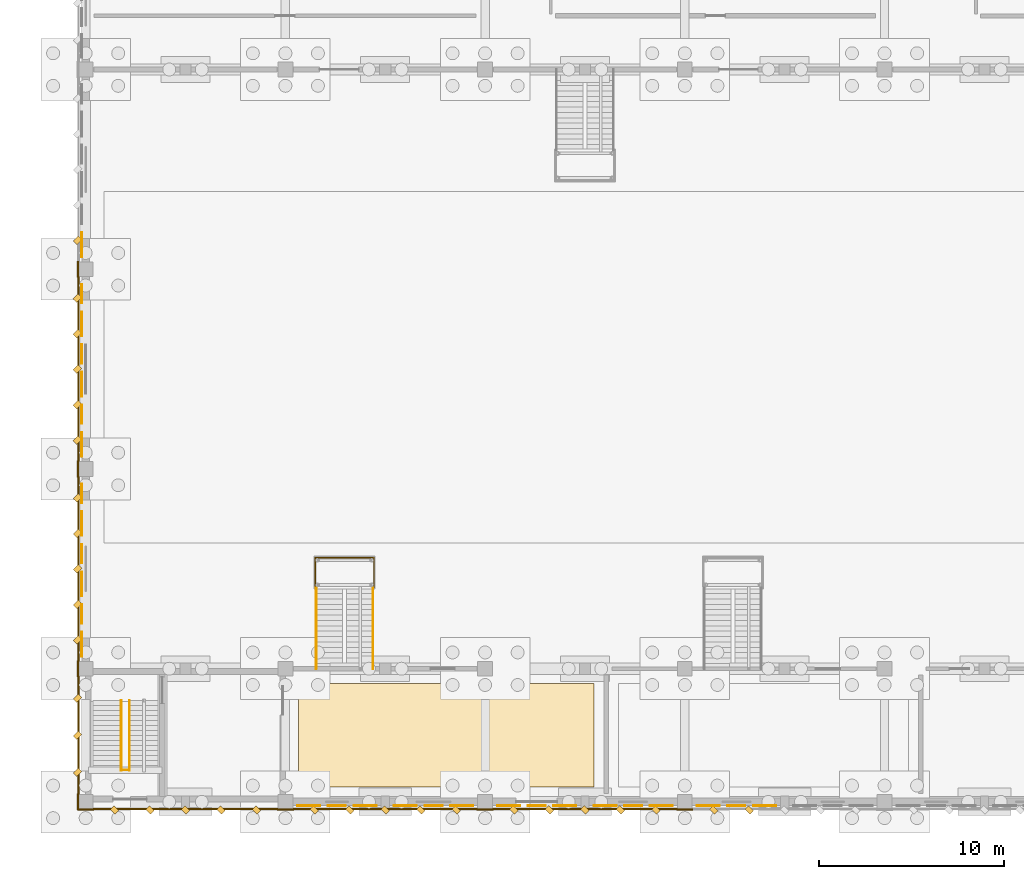
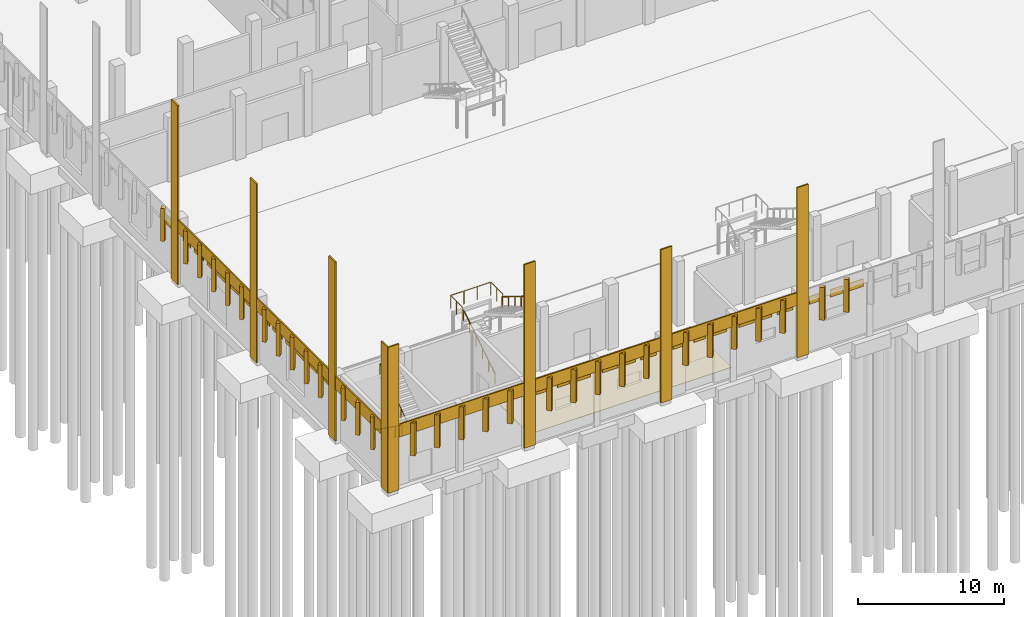
# One storey, part 94 of 109: 74 coverings, 6 railings.
"""IFC4 building model written with IfcOpenShell, lengths in metres."""

from ifc_helpers import new_model, si_unit, direction, frame, origin, origin_2d, place, context, subcontext, project, spatial, polyline, rectangle, circle, outline, extrude, material, layer, layer_set, type_object, element, save


model = new_model("IFC4")

# Units and contexts
model_context = context("Model", 3, precision=1e-05, world=origin(), true_north=direction((0.0, 1.0)))
body_context = subcontext(model_context, "Body", "Model", "MODEL_VIEW")
ifc_project = project(units=[si_unit("LENGTHUNIT", "METRE"), si_unit("AREAUNIT", "SQUARE_METRE"), si_unit("VOLUMEUNIT", "CUBIC_METRE"), si_unit("PLANEANGLEUNIT", "RADIAN"), si_unit("MASSUNIT", "GRAM", prefix="KILO")], contexts=[model_context])

# Site, building, storey
site_placement = place(None, origin())
site = spatial("IfcSite", under=ifc_project, at=site_placement, CompositionType="ELEMENT")
building_placement = place(site_placement, origin())
building = spatial("IfcBuilding", under=site, at=building_placement, Name="Lusvemor Sports Hall", CompositionType="ELEMENT")
storey_placement = place(building_placement, origin())
storey = spatial("IfcBuildingStorey", under=building, at=storey_placement, Name="L00", CompositionType="ELEMENT", Elevation=0.0)

# Coverings
ifc_material_1 = material(Name="Precast granite-faced Concrete C40/50 architectural cladding", Category="masonry")
ifc_layer_1 = layer(ifc_material_1, 0.055908203125)
ifc_layer_set_1 = layer_set([ifc_layer_1], Name="Precast granite-faced Concrete C40/50 architectural cladding")
covering_type_1 = type_object("IfcCoveringType", Name="CLAD_RELIEF_FRIEZE", PredefinedType="CLADDING", material=ifc_layer_set_1)
covering_1_placement = place(storey_placement, frame((0.0, -0.409912109375, 0.0), z_axis=(0.0, 0.0, 1.0), x_axis=(1.0, 0.0, 0.0)))
element("IfcCovering", 1, at=covering_1_placement, inside=storey, type_object=covering_type_1, Name="Art Nouveau Pilaster Cladding Casing 1", PredefinedType="CLADDING", context=body_context, shape_type="SweptSolid", body=[
    extrude(rectangle(XDim=0.8798828125, YDim=0.10009765625, at=origin_2d()), origin(), (0.0, 0.0, 1.0), 12.219970703125),
])
covering_2_placement = place(storey_placement, frame((10.800048828125, -0.409912109375, 0.0), z_axis=(0.0, 0.0, 1.0), x_axis=(1.0, 0.0, 0.0)))
element("IfcCovering", 2, at=covering_2_placement, inside=storey, type_object=covering_type_1, Name="Art Nouveau Pilaster Cladding Casing 2", PredefinedType="CLADDING", context=body_context, shape_type="SweptSolid", body=[
    extrude(rectangle(XDim=0.8798828125, YDim=0.10009765625, at=origin_2d()), origin(), (0.0, 0.0, 1.0), 15.37548828125),
])
covering_3_placement = place(storey_placement, frame((21.60009765625, -0.409912109375, 0.0), z_axis=(0.0, 0.0, 1.0), x_axis=(1.0, 0.0, 0.0)))
element("IfcCovering", 3, at=covering_3_placement, inside=storey, type_object=covering_type_1, Name="Art Nouveau Pilaster Cladding Casing 3", PredefinedType="CLADDING", context=body_context, shape_type="SweptSolid", body=[
    extrude(rectangle(XDim=0.8798828125, YDim=0.10009765625, at=origin_2d()), origin(), (0.0, 0.0, 1.0), 12.844970703125),
])
covering_4_placement = place(storey_placement, frame((32.39990234375, -0.409912109375, 0.0), z_axis=(0.0, 0.0, 1.0), x_axis=(1.0, 0.0, 0.0)))
element("IfcCovering", 4, at=covering_4_placement, inside=storey, type_object=covering_type_1, Name="Art Nouveau Pilaster Cladding Casing 4", PredefinedType="CLADDING", context=body_context, shape_type="SweptSolid", body=[
    extrude(rectangle(XDim=0.8798828125, YDim=0.10009765625, at=origin_2d()), origin(), (0.0, 0.0, 1.0), 14.24951171875),
])
covering_5_placement = place(storey_placement, frame((-0.409912109375, 0.0, 0.0), z_axis=(0.0, 0.0, 1.0), x_axis=(1.0, 0.0, 0.0)))
element("IfcCovering", 5, at=covering_5_placement, inside=storey, type_object=covering_type_1, Name="Art Nouveau Pilaster Cladding Casing 895", PredefinedType="CLADDING", context=body_context, shape_type="SweptSolid", body=[
    extrude(rectangle(XDim=0.10009765625, YDim=0.8798828125, at=origin_2d()), origin(), (0.0, 0.0, 1.0), 12.219970703125),
])
for number, where, z_axis, x_axis, name in (
    (6, (-0.409912109375, 7.199951171875, 0.0), (0.0, 0.0, 1.0), (1.0, 0.0, 0.0), "Art Nouveau Pilaster Cladding Casing 896"),
    (7, (-0.409912109375, 18.0, 0.0), (0.0, 0.0, 1.0), (1.0, 0.0, 0.0), "Art Nouveau Pilaster Cladding Casing 897"),
    (8, (-0.409912109375, 28.800048828125, 0.0), (0.0, 0.0, 1.0), (1.0, 0.0, 0.0), "Art Nouveau Pilaster Cladding Casing 898"),
):
    element("IfcCovering", number, at=place(storey_placement, frame(where, z_axis=z_axis, x_axis=x_axis)), inside=storey, type_object=covering_type_1, Name=name, PredefinedType="CLADDING", context=body_context, shape_type="SweptSolid", body=[
        extrude(rectangle(XDim=0.10009765625, YDim=0.8798828125, at=origin_2d()), origin(), (0.0, 0.0, 1.0), 15.0),
    ])
ifc_material_2 = material(Name="Emerald polychrome glazed ceramic cladding on Concrete C40/50 backing", Category="concrete")
ifc_layer_2 = layer(ifc_material_2, 0.0458984375)
ifc_layer_set_2 = layer_set([ifc_layer_2], Name="Emerald polychrome glazed ceramic cladding on Concrete C40/50 backing")
covering_type_2 = type_object("IfcCoveringType", Name="CLAD_WAVE_EMERALD", PredefinedType="CLADDING", material=ifc_layer_set_2)
for number, where, z_axis, x_axis, name in (
    (9, (12.070068359375, -0.218017578125, 3.97998046875), (0.0, 0.0, 1.0), (1.0, 0.0, 0.0), "Art Nouveau Patterned Cladding PS-V1S0-1-1-1"),
    (10, (15.110107421875, -0.218017578125, 3.97998046875), (0.0, 0.0, 1.0), (1.0, 0.0, 0.0), "Art Nouveau Patterned Cladding PS-V1S0-1-1-3"),
    (11, (17.2900390625, -0.218017578125, 3.97998046875), (0.0, 0.0, 1.0), (1.0, 0.0, 0.0), "Art Nouveau Patterned Cladding PS-V1S0-1-2-1"),
    (12, (20.330078125, -0.218017578125, 3.97998046875), (0.0, 0.0, 1.0), (1.0, 0.0, 0.0), "Art Nouveau Patterned Cladding PS-V1S0-1-2-3"),
    (13, (22.8701171875, -0.218017578125, 3.97998046875), (0.0, 0.0, 1.0), (1.0, 0.0, 0.0), "Art Nouveau Patterned Cladding PS-V1S0-2-1-1"),
    (14, (25.909912109375, -0.218017578125, 3.97998046875), (0.0, 0.0, 1.0), (1.0, 0.0, 0.0), "Art Nouveau Patterned Cladding PS-V1S0-2-1-3"),
    (15, (28.090087890625, -0.218017578125, 3.97998046875), (0.0, 0.0, 1.0), (1.0, 0.0, 0.0), "Art Nouveau Patterned Cladding PS-V1S0-2-2-1"),
    (16, (31.1298828125, -0.218017578125, 3.97998046875), (0.0, 0.0, 1.0), (1.0, 0.0, 0.0), "Art Nouveau Patterned Cladding PS-V1S0-2-2-3"),
    (17, (33.669921875, -0.218017578125, 3.97998046875), (0.0, 0.0, 1.0), (1.0, 0.0, 0.0), "Art Nouveau Patterned Cladding PS-V1S0-3-1-1"),
    (18, (36.7099609375, -0.218017578125, 3.97998046875), (0.0, 0.0, 1.0), (1.0, 0.0, 0.0), "Art Nouveau Patterned Cladding PS-V1S0-3-1-3"),
):
    element("IfcCovering", number, at=place(storey_placement, frame(where, z_axis=z_axis, x_axis=x_axis)), inside=storey, type_object=covering_type_2, Name=name, PredefinedType="CLADDING", context=body_context, shape_type="SweptSolid", body=[
        extrude(rectangle(XDim=1.246337890625, YDim=0.0458984375, at=origin_2d()), origin(), (0.0, 0.0, 1.0), 0.64990234375),
    ])
for number, where, z_axis, x_axis, name in (
    (19, (-0.218017578125, 8.52490234375, 3.830078125), (0.0, 0.0, 1.0), (1.0, 0.0, 0.0), "Art Nouveau Patterned Cladding PS-V1W0-2-1"),
    (20, (-0.218017578125, 11.784912109375, 3.830078125), (0.0, 0.0, 1.0), (1.0, 0.0, 0.0), "Art Nouveau Patterned Cladding PS-V1W0-2-3"),
    (21, (-0.218017578125, 15.044921875, 3.830078125), (0.0, 0.0, 1.0), (1.0, 0.0, 0.0), "Art Nouveau Patterned Cladding PS-V1W0-2-5"),
    (22, (-0.218017578125, 19.324951171875, 3.830078125), (0.0, 0.0, 1.0), (1.0, 0.0, 0.0), "Art Nouveau Patterned Cladding PS-V1W0-3-1"),
    (23, (-0.218017578125, 22.5849609375, 3.830078125), (0.0, 0.0, 1.0), (1.0, 0.0, 0.0), "Art Nouveau Patterned Cladding PS-V1W0-3-3"),
    (24, (-0.218017578125, 25.844970703125, 3.830078125), (0.0, 0.0, 1.0), (1.0, 0.0, 0.0), "Art Nouveau Patterned Cladding PS-V1W0-3-5"),
    (25, (-0.218017578125, 30.125, 3.830078125), (0.0, 0.0, 1.0), (1.0, 0.0, 0.0), "Art Nouveau Patterned Cladding PS-V1W0-4-1"),
):
    element("IfcCovering", number, at=place(storey_placement, frame(where, z_axis=z_axis, x_axis=x_axis)), inside=storey, type_object=covering_type_2, Name=name, PredefinedType="CLADDING", context=body_context, shape_type="SweptSolid", body=[
        extrude(rectangle(XDim=0.0458984375, YDim=1.336669921875, at=origin_2d()), origin(), (0.0, 0.0, 1.0), 0.840087890625),
    ])
for number, where, z_axis, x_axis, name in (
    (26, (3.47998046875, -0.43994140625, 2.550048828125), (0.0, 0.0, 1.0), (0.707106781187, 0.707106781187, 0.0), "Patterned Diamond Cladding Rib 11"),
    (27, (7.320068359375, -0.43994140625, 2.550048828125), (0.0, 0.0, 1.0), (0.707106781187, 0.707106781187, 0.0), "Patterned Diamond Cladding Rib 13"),
    (28, (14.280029296875, -0.43994140625, 2.550048828125), (0.0, 0.0, 1.0), (0.707106781187, 0.707106781187, 0.0), "Patterned Diamond Cladding Rib 29"),
    (29, (18.1201171875, -0.43994140625, 2.550048828125), (0.0, 0.0, 1.0), (0.707106781187, 0.707106781187, 0.0), "Patterned Diamond Cladding Rib 31"),
    (30, (25.080078125, -0.43994140625, 2.550048828125), (0.0, 0.0, 1.0), (0.707106781187, 0.707106781187, 0.0), "Patterned Diamond Cladding Rib 47"),
    (31, (28.919921875, -0.43994140625, 2.550048828125), (0.0, 0.0, 1.0), (0.707106781187, 0.707106781187, 0.0), "Patterned Diamond Cladding Rib 49"),
    (32, (35.8798828125, -0.43994140625, 2.550048828125), (0.0, 0.0, 1.0), (0.707106781187, 0.707106781187, 0.0), "Patterned Diamond Cladding Rib 65"),
):
    element("IfcCovering", number, at=place(storey_placement, frame(where, z_axis=z_axis, x_axis=x_axis)), inside=storey, type_object=covering_type_2, Name=name, PredefinedType="CLADDING", context=body_context, shape_type="SweptSolid", body=[
        extrude(rectangle(XDim=0.280029296875, YDim=0.3798828125, at=origin_2d()), origin(), (0.0, 0.0, 1.0), 2.75),
    ])
for number, where, z_axis, x_axis, name in (
    (33, (-0.43994140625, 3.60009765625, 2.550048828125), (0.0, 0.0, 1.0), (0.707106781187, 0.707106781187, 0.0), "Patterned Diamond Cladding Rib 903"),
    (34, (-0.43994140625, 10.679931640625, 2.550048828125), (0.0, 0.0, 1.0), (0.707106781187, 0.707106781187, 0.0), "Patterned Diamond Cladding Rib 915"),
    (35, (-0.43994140625, 14.52001953125, 2.550048828125), (0.0, 0.0, 1.0), (0.707106781187, 0.707106781187, 0.0), "Patterned Diamond Cladding Rib 917"),
    (36, (-0.43994140625, 21.47998046875, 2.550048828125), (0.0, 0.0, 1.0), (0.707106781187, 0.707106781187, 0.0), "Patterned Diamond Cladding Rib 933"),
    (37, (-0.43994140625, 25.320068359375, 2.550048828125), (0.0, 0.0, 1.0), (0.707106781187, 0.707106781187, 0.0), "Patterned Diamond Cladding Rib 935"),
):
    element("IfcCovering", number, at=place(storey_placement, frame(where, z_axis=z_axis, x_axis=x_axis)), inside=storey, type_object=covering_type_2, Name=name, PredefinedType="CLADDING", context=body_context, shape_type="SweptSolid", body=[
        extrude(rectangle(XDim=0.3798828125, YDim=0.280029296875, at=origin_2d()), origin(), (0.0, 0.0, 1.0), 2.75),
    ])
ifc_material_3 = material(Name="Warm terracotta Art Nouveau ceramic cladding on Concrete C40/50 backing", Category="masonry")
ifc_layer_3 = layer(ifc_material_3, 0.0380859375)
ifc_layer_set_3 = layer_set([ifc_layer_3], Name="Warm terracotta Art Nouveau ceramic cladding on Concrete C40/50 backing")
covering_type_3 = type_object("IfcCoveringType", Name="CLAD_WAVE_OCHRE", PredefinedType="CLADDING", material=ifc_layer_set_3)
for number, where, z_axis, x_axis, name in (
    (38, (13.590087890625, -0.214111328125, 3.97998046875), (0.0, 0.0, 1.0), (1.0, 0.0, 0.0), "Art Nouveau Patterned Cladding PS-V1S0-1-1-2"),
    (39, (18.81005859375, -0.214111328125, 3.97998046875), (0.0, 0.0, 1.0), (1.0, 0.0, 0.0), "Art Nouveau Patterned Cladding PS-V1S0-1-2-2"),
    (40, (24.389892578125, -0.214111328125, 3.97998046875), (0.0, 0.0, 1.0), (1.0, 0.0, 0.0), "Art Nouveau Patterned Cladding PS-V1S0-2-1-2"),
    (41, (29.610107421875, -0.214111328125, 3.97998046875), (0.0, 0.0, 1.0), (1.0, 0.0, 0.0), "Art Nouveau Patterned Cladding PS-V1S0-2-2-2"),
    (42, (35.18994140625, -0.214111328125, 3.97998046875), (0.0, 0.0, 1.0), (1.0, 0.0, 0.0), "Art Nouveau Patterned Cladding PS-V1S0-3-1-2"),
):
    element("IfcCovering", number, at=place(storey_placement, frame(where, z_axis=z_axis, x_axis=x_axis)), inside=storey, type_object=covering_type_3, Name=name, PredefinedType="CLADDING", context=body_context, shape_type="SweptSolid", body=[
        extrude(rectangle(XDim=0.972900390625, YDim=0.0380859375, at=origin_2d()), origin(), (0.0, 0.0, 1.0), 0.64990234375),
    ])
for number, where, z_axis, x_axis, name in (
    (43, (-0.214111328125, 10.155029296875, 3.830078125), (0.0, 0.0, 1.0), (1.0, 0.0, 0.0), "Art Nouveau Patterned Cladding PS-V1W0-2-2"),
    (44, (-0.214111328125, 13.4150390625, 3.830078125), (0.0, 0.0, 1.0), (1.0, 0.0, 0.0), "Art Nouveau Patterned Cladding PS-V1W0-2-4"),
    (45, (-0.214111328125, 16.675048828125, 3.830078125), (0.0, 0.0, 1.0), (1.0, 0.0, 0.0), "Art Nouveau Patterned Cladding PS-V1W0-2-6"),
    (46, (-0.214111328125, 20.955078125, 3.830078125), (0.0, 0.0, 1.0), (1.0, 0.0, 0.0), "Art Nouveau Patterned Cladding PS-V1W0-3-2"),
    (47, (-0.214111328125, 24.215087890625, 3.830078125), (0.0, 0.0, 1.0), (1.0, 0.0, 0.0), "Art Nouveau Patterned Cladding PS-V1W0-3-4"),
    (48, (-0.214111328125, 27.47509765625, 3.830078125), (0.0, 0.0, 1.0), (1.0, 0.0, 0.0), "Art Nouveau Patterned Cladding PS-V1W0-3-6"),
):
    element("IfcCovering", number, at=place(storey_placement, frame(where, z_axis=z_axis, x_axis=x_axis)), inside=storey, type_object=covering_type_3, Name=name, PredefinedType="CLADDING", context=body_context, shape_type="SweptSolid", body=[
        extrude(rectangle(XDim=0.0380859375, YDim=1.043212890625, at=origin_2d()), origin(), (0.0, 0.0, 1.0), 0.840087890625),
    ])
for number, where, z_axis, x_axis, name in (
    (49, (5.39990234375, -0.389892578125, 4.3798828125), (0.0, 0.0, 1.0), (1.0, 0.0, 0.0), "Art Nouveau Spandrel Cornice 9"),
    (50, (16.199951171875, -0.389892578125, 4.3798828125), (0.0, 0.0, 1.0), (1.0, 0.0, 0.0), "Art Nouveau Spandrel Cornice 27"),
    (51, (27.0, -0.389892578125, 4.3798828125), (0.0, 0.0, 1.0), (1.0, 0.0, 0.0), "Art Nouveau Spandrel Cornice 45"),
):
    element("IfcCovering", number, at=place(storey_placement, frame(where, z_axis=z_axis, x_axis=x_axis)), inside=storey, type_object=covering_type_3, Name=name, PredefinedType="CLADDING", context=body_context, shape_type="SweptSolid", body=[
        extrude(rectangle(XDim=9.97998046875, YDim=0.090087890625, at=origin_2d()), origin(), (0.0, 0.0, 1.0), 1.080078125),
    ])
covering_6_placement = place(storey_placement, frame((-0.389892578125, 3.60009765625, 4.3798828125), z_axis=(0.0, 0.0, 1.0), x_axis=(1.0, 0.0, 0.0)))
element("IfcCovering", 52, at=covering_6_placement, inside=storey, type_object=covering_type_3, Name="Art Nouveau Spandrel Cornice 901", PredefinedType="CLADDING", context=body_context, shape_type="SweptSolid", body=[
    extrude(rectangle(XDim=0.090087890625, YDim=6.3798828125, at=origin_2d()), origin(), (0.0, 0.0, 1.0), 1.080078125),
])
for number, where, z_axis, x_axis, name in (
    (53, (-0.389892578125, 12.60009765625, 4.3798828125), (0.0, 0.0, 1.0), (1.0, 0.0, 0.0), "Art Nouveau Spandrel Cornice 913"),
    (54, (-0.389892578125, 23.39990234375, 4.3798828125), (0.0, 0.0, 1.0), (1.0, 0.0, 0.0), "Art Nouveau Spandrel Cornice 931"),
):
    element("IfcCovering", number, at=place(storey_placement, frame(where, z_axis=z_axis, x_axis=x_axis)), inside=storey, type_object=covering_type_3, Name=name, PredefinedType="CLADDING", context=body_context, shape_type="SweptSolid", body=[
        extrude(rectangle(XDim=0.090087890625, YDim=9.97998046875, at=origin_2d()), origin(), (0.0, 0.0, 1.0), 1.080078125),
    ])
ifc_material_4 = material(Name="Slip-resistant porcelain ceramic tile flooring")
ifc_layer_4 = layer(ifc_material_4, 0.030029296875)
ifc_layer_set_4 = layer_set([ifc_layer_4], Name="Slip-resistant porcelain ceramic tile flooring")
covering_type_4 = type_object("IfcCoveringType", Name="COV_TILE_PORC", PredefinedType="FLOORING", material=ifc_layer_set_4)
covering_7_placement = place(storey_placement, origin())
element("IfcCovering", 55, at=covering_7_placement, inside=storey, type_object=covering_type_4, Name="Porcelain Wet-Area Flooring 1", PredefinedType="FLOORING", context=body_context, shape_type="SweptSolid", body=[
    extrude(outline(polyline([(11.5, 0.800048828125), (27.5, 0.800048828125), (27.5, 6.39990234375), (11.5, 6.39990234375), (11.5, 0.800048828125)])), origin(), (0.0, 0.0, 1.0), 0.030029296875),
])
ifc_material_5 = material(Name="Warm terracotta Art Nouveau ceramic cladding on Concrete C40/50 backing", Category="masonry")
ifc_layer_5 = layer(ifc_material_5, 0.449951171875)
ifc_layer_set_5 = layer_set([ifc_layer_5], Name="Warm terracotta Art Nouveau ceramic cladding on Concrete C40/50 backing")
covering_type_5 = type_object("IfcCoveringType", Name="FIN_BRISE_CER_450", PredefinedType="MOLDING", material=ifc_layer_set_5)
for number, where, z_axis, x_axis, name in (
    (56, (1.56005859375, -0.43994140625, 2.550048828125), (0.0, 0.0, 1.0), (0.707106781187, 0.707106781187, 0.0), "Patterned Diamond Cladding Rib 10"),
    (57, (5.39990234375, -0.43994140625, 2.550048828125), (0.0, 0.0, 1.0), (0.707106781187, 0.707106781187, 0.0), "Patterned Diamond Cladding Rib 12"),
    (58, (9.239990234375, -0.43994140625, 2.550048828125), (0.0, 0.0, 1.0), (0.707106781187, 0.707106781187, 0.0), "Patterned Diamond Cladding Rib 14"),
    (59, (12.360107421875, -0.43994140625, 2.550048828125), (0.0, 0.0, 1.0), (0.707106781187, 0.707106781187, 0.0), "Patterned Diamond Cladding Rib 28"),
    (60, (16.199951171875, -0.43994140625, 2.550048828125), (0.0, 0.0, 1.0), (0.707106781187, 0.707106781187, 0.0), "Patterned Diamond Cladding Rib 30"),
    (61, (20.0400390625, -0.43994140625, 2.550048828125), (0.0, 0.0, 1.0), (0.707106781187, 0.707106781187, 0.0), "Patterned Diamond Cladding Rib 32"),
    (62, (23.159912109375, -0.43994140625, 2.550048828125), (0.0, 0.0, 1.0), (0.707106781187, 0.707106781187, 0.0), "Patterned Diamond Cladding Rib 46"),
    (63, (27.0, -0.43994140625, 2.550048828125), (0.0, 0.0, 1.0), (0.707106781187, 0.707106781187, 0.0), "Patterned Diamond Cladding Rib 48"),
    (64, (30.840087890625, -0.43994140625, 2.550048828125), (0.0, 0.0, 1.0), (0.707106781187, 0.707106781187, 0.0), "Patterned Diamond Cladding Rib 50"),
    (65, (33.9599609375, -0.43994140625, 2.550048828125), (0.0, 0.0, 1.0), (0.707106781187, 0.707106781187, 0.0), "Patterned Diamond Cladding Rib 64"),
):
    element("IfcCovering", number, at=place(storey_placement, frame(where, z_axis=z_axis, x_axis=x_axis)), inside=storey, type_object=covering_type_5, Name=name, PredefinedType="MOLDING", context=body_context, shape_type="SweptSolid", body=[
        extrude(rectangle(XDim=0.280029296875, YDim=0.3798828125, at=origin_2d()), origin(), (0.0, 0.0, 1.0), 2.75),
    ])
for number, where, z_axis, x_axis, name in (
    (66, (-0.43994140625, 1.60009765625, 2.550048828125), (0.0, 0.0, 1.0), (0.707106781187, 0.707106781187, 0.0), "Patterned Diamond Cladding Rib 902"),
    (67, (-0.43994140625, 5.60009765625, 2.550048828125), (0.0, 0.0, 1.0), (0.707106781187, 0.707106781187, 0.0), "Patterned Diamond Cladding Rib 904"),
    (68, (-0.43994140625, 8.760009765625, 2.550048828125), (0.0, 0.0, 1.0), (0.707106781187, 0.707106781187, 0.0), "Patterned Diamond Cladding Rib 914"),
    (69, (-0.43994140625, 12.60009765625, 2.550048828125), (0.0, 0.0, 1.0), (0.707106781187, 0.707106781187, 0.0), "Patterned Diamond Cladding Rib 916"),
    (70, (-0.43994140625, 16.43994140625, 2.550048828125), (0.0, 0.0, 1.0), (0.707106781187, 0.707106781187, 0.0), "Patterned Diamond Cladding Rib 918"),
    (71, (-0.43994140625, 19.56005859375, 2.550048828125), (0.0, 0.0, 1.0), (0.707106781187, 0.707106781187, 0.0), "Patterned Diamond Cladding Rib 932"),
    (72, (-0.43994140625, 23.39990234375, 2.550048828125), (0.0, 0.0, 1.0), (0.707106781187, 0.707106781187, 0.0), "Patterned Diamond Cladding Rib 934"),
    (73, (-0.43994140625, 27.239990234375, 2.550048828125), (0.0, 0.0, 1.0), (0.707106781187, 0.707106781187, 0.0), "Patterned Diamond Cladding Rib 936"),
    (74, (-0.43994140625, 30.360107421875, 2.550048828125), (0.0, 0.0, 1.0), (0.707106781187, 0.707106781187, 0.0), "Patterned Diamond Cladding Rib 950"),
):
    element("IfcCovering", number, at=place(storey_placement, frame(where, z_axis=z_axis, x_axis=x_axis)), inside=storey, type_object=covering_type_5, Name=name, PredefinedType="MOLDING", context=body_context, shape_type="SweptSolid", body=[
        extrude(rectangle(XDim=0.3798828125, YDim=0.280029296875, at=origin_2d()), origin(), (0.0, 0.0, 1.0), 2.75),
    ])

# Railings
ifc_material_6 = material(Name="Bronze-finished wrought-steel Art Nouveau balustrade", Category="steel")
railing_type_1 = type_object("IfcRailingType", Name="RAIL_HANDRAIL_092", PredefinedType="HANDRAIL", material=ifc_material_6)
railing_1_placement = place(storey_placement, frame((1.929931640625, 5.47998046875, 0.0)))
element("IfcRailing", 75, at=railing_1_placement, inside=storey, type_object=railing_type_1, Name="Stair STR-C6-L00 Handrail F1", PredefinedType="HANDRAIL", context=body_context, shape_type="SweptSolid", body=[
    extrude(circle(Radius=0.02392578125, at=origin_2d()), frame((0.0, 0.0, 0.89599609375), z_axis=(0.0, -0.813740573448, 0.581228250453), x_axis=(1.0, 0.0, 0.0)), (0.0, 0.0, 1.0), 4.645263671875),
    extrude(circle(Radius=0.02099609375, at=origin_2d()), origin(), (0.0, 0.0, 1.0), 0.871826171875),
    extrude(circle(Radius=0.02099609375, at=origin_2d()), frame((0.0, -0.945068359375, 0.675048828125)), (0.0, 0.0, 1.0), 0.871826171875),
    extrude(circle(Radius=0.02099609375, at=origin_2d()), frame((0.0, -1.89013671875, 1.35009765625)), (0.0, 0.0, 1.0), 0.871826171875),
    extrude(circle(Radius=0.02099609375, at=origin_2d()), frame((0.0, -2.8349609375, 2.02490234375)), (0.0, 0.0, 1.0), 0.871826171875),
    extrude(circle(Radius=0.02099609375, at=origin_2d()), frame((0.0, -3.780029296875, 2.699951171875)), (0.0, 0.0, 1.0), 0.871826171875),
])
railing_2_placement = place(storey_placement, frame((2.3701171875, 1.699951171875, 2.699951171875)))
element("IfcRailing", 76, at=railing_2_placement, inside=storey, type_object=railing_type_1, Name="Stair STR-C6-L00 Handrail F2", PredefinedType="HANDRAIL", context=body_context, shape_type="SweptSolid", body=[
    extrude(circle(Radius=0.02392578125, at=origin_2d()), frame((0.0, 0.0, 0.89599609375), z_axis=(0.0, 0.813740573448, 0.581228250453), x_axis=(-1.0, 0.0, 0.0)), (0.0, 0.0, 1.0), 4.645263671875),
    extrude(circle(Radius=0.02099609375, at=origin_2d()), origin(), (0.0, 0.0, 1.0), 0.871826171875),
    extrude(circle(Radius=0.02099609375, at=origin_2d()), frame((0.0, 0.945068359375, 0.675048828125)), (0.0, 0.0, 1.0), 0.871826171875),
    extrude(circle(Radius=0.02099609375, at=origin_2d()), frame((0.0, 1.89013671875, 1.35009765625)), (0.0, 0.0, 1.0), 0.871826171875),
    extrude(circle(Radius=0.02099609375, at=origin_2d()), frame((0.0, 2.8349609375, 2.02490234375)), (0.0, 0.0, 1.0), 0.871826171875),
    extrude(circle(Radius=0.02099609375, at=origin_2d()), frame((0.0, 3.780029296875, 2.699951171875)), (0.0, 0.0, 1.0), 0.871826171875),
])
railing_3_placement = place(storey_placement, frame((12.4599609375, 7.199951171875, 0.0)))
element("IfcRailing", 77, at=railing_3_placement, inside=storey, type_object=railing_type_1, Name="STR-V1-GAL-W Handrail F1", PredefinedType="HANDRAIL", context=body_context, shape_type="SweptSolid", body=[
    extrude(circle(Radius=0.02392578125, at=origin_2d()), frame((0.0, 0.0, 0.89599609375), z_axis=(0.0, 0.849649743971, 0.527347430608), x_axis=(-1.0, 0.0, 0.0)), (0.0, 0.0, 1.0), 5.119873046875),
    extrude(circle(Radius=0.02099609375, at=origin_2d()), origin(), (0.0, 0.0, 1.0), 0.871826171875),
    extrude(circle(Radius=0.02099609375, at=origin_2d()), frame((0.0, 0.8701171875, 0.5400390625)), (0.0, 0.0, 1.0), 0.871826171875),
    extrude(circle(Radius=0.02099609375, at=origin_2d()), frame((0.0, 1.739990234375, 1.080078125)), (0.0, 0.0, 1.0), 0.871826171875),
    extrude(circle(Radius=0.02099609375, at=origin_2d()), frame((0.0, 2.610107421875, 1.619873046875)), (0.0, 0.0, 1.0), 0.871826171875),
    extrude(circle(Radius=0.02099609375, at=origin_2d()), frame((0.0, 3.47998046875, 2.159912109375)), (0.0, 0.0, 1.0), 0.871826171875),
    extrude(circle(Radius=0.02099609375, at=origin_2d()), frame((0.0, 4.35009765625, 2.699951171875)), (0.0, 0.0, 1.0), 0.871826171875),
])
railing_4_placement = place(storey_placement, frame((15.5400390625, 11.550048828125, 2.699951171875)))
element("IfcRailing", 78, at=railing_4_placement, inside=storey, type_object=railing_type_1, Name="STR-V1-GAL-W Handrail F2", PredefinedType="HANDRAIL", context=body_context, shape_type="SweptSolid", body=[
    extrude(circle(Radius=0.02392578125, at=origin_2d()), frame((0.0, 0.0, 0.89599609375), z_axis=(0.0, -0.849649743971, 0.527347430608), x_axis=(1.0, 0.0, 0.0)), (0.0, 0.0, 1.0), 5.119873046875),
    extrude(circle(Radius=0.02099609375, at=origin_2d()), origin(), (0.0, 0.0, 1.0), 0.871826171875),
    extrude(circle(Radius=0.02099609375, at=origin_2d()), frame((0.0, -0.8701171875, 0.5400390625)), (0.0, 0.0, 1.0), 0.871826171875),
    extrude(circle(Radius=0.02099609375, at=origin_2d()), frame((0.0, -1.739990234375, 1.080078125)), (0.0, 0.0, 1.0), 0.871826171875),
    extrude(circle(Radius=0.02099609375, at=origin_2d()), frame((0.0, -2.610107421875, 1.619873046875)), (0.0, 0.0, 1.0), 0.871826171875),
    extrude(circle(Radius=0.02099609375, at=origin_2d()), frame((0.0, -3.47998046875, 2.159912109375)), (0.0, 0.0, 1.0), 0.871826171875),
    extrude(circle(Radius=0.02099609375, at=origin_2d()), frame((0.0, -4.35009765625, 2.699951171875)), (0.0, 0.0, 1.0), 0.871826171875),
])
ifc_material_7 = material(Name="Bronze-finished wrought-steel Art Nouveau balustrade", Category="steel")
railing_type_2 = type_object("IfcRailingType", Name="RAIL_STAIR_GUARD_112", PredefinedType="GUARDRAIL", material=ifc_material_7)
railing_5_placement = place(storey_placement, frame((1.929931640625, 1.719970703125, 2.699951171875)))
element("IfcRailing", 79, at=railing_5_placement, inside=storey, type_object=railing_type_2, Name="Stair STR-C6-L00 Mid Well Guard", PredefinedType="GUARDRAIL", context=body_context, shape_type="SweptSolid", body=[
    extrude(circle(Radius=0.02392578125, at=origin_2d()), frame((0.0, 0.0, 1.09619140625), z_axis=(1.0, 0.0, 0.0), x_axis=(0.0, 1.0, 0.0)), (0.0, 0.0, 1.0), 0.440185546875),
    extrude(circle(Radius=0.02099609375, at=origin_2d()), origin(), (0.0, 0.0, 1.0), 1.072021484375),
    extrude(circle(Radius=0.02099609375, at=origin_2d()), frame((0.440185546875, 0.0, 0.0)), (0.0, 0.0, 1.0), 1.072021484375),
])
railing_6_placement = place(storey_placement, frame((12.409912109375, 11.590087890625, 2.699951171875)))
element("IfcRailing", 80, at=railing_6_placement, inside=storey, type_object=railing_type_2, Name="STR-V1-GAL-W Mid Guard", PredefinedType="GUARDRAIL", context=body_context, shape_type="SweptSolid", body=[
    extrude(circle(Radius=0.02392578125, at=origin_2d()), frame((0.0, 0.0, 1.09619140625), z_axis=(0.0, 1.0, 0.0), x_axis=(-1.0, 0.0, 0.0)), (0.0, 0.0, 1.0), 1.619873046875),
    extrude(circle(Radius=0.02392578125, at=origin_2d()), frame((0.0, 1.619873046875, 1.09619140625), z_axis=(1.0, 0.0, 0.0), x_axis=(0.0, 1.0, 0.0)), (0.0, 0.0, 1.0), 3.18017578125),
    extrude(circle(Radius=0.02392578125, at=origin_2d()), frame((3.18017578125, 1.619873046875, 1.09619140625), z_axis=(0.0, -1.0, 0.0), x_axis=(1.0, 0.0, 0.0)), (0.0, 0.0, 1.0), 1.619873046875),
    extrude(circle(Radius=0.02099609375, at=origin_2d()), origin(), (0.0, 0.0, 1.0), 1.072021484375),
    extrude(circle(Radius=0.02099609375, at=origin_2d()), frame((0.0, 0.81005859375, 0.0)), (0.0, 0.0, 1.0), 1.072021484375),
    extrude(circle(Radius=0.02099609375, at=origin_2d()), frame((0.0, 1.619873046875, 0.0)), (0.0, 0.0, 1.0), 1.072021484375),
    extrude(circle(Radius=0.02099609375, at=origin_2d()), frame((1.06005859375, 1.619873046875, 0.0)), (0.0, 0.0, 1.0), 1.072021484375),
    extrude(circle(Radius=0.02099609375, at=origin_2d()), frame((2.1201171875, 1.619873046875, 0.0)), (0.0, 0.0, 1.0), 1.072021484375),
    extrude(circle(Radius=0.02099609375, at=origin_2d()), frame((3.18017578125, 1.619873046875, 0.0)), (0.0, 0.0, 1.0), 1.072021484375),
    extrude(circle(Radius=0.02099609375, at=origin_2d()), frame((3.18017578125, 0.81005859375, 0.0)), (0.0, 0.0, 1.0), 1.072021484375),
    extrude(circle(Radius=0.02099609375, at=origin_2d()), frame((3.18017578125, 0.0, 0.0)), (0.0, 0.0, 1.0), 1.072021484375),
])

save(model, "model.ifc")
